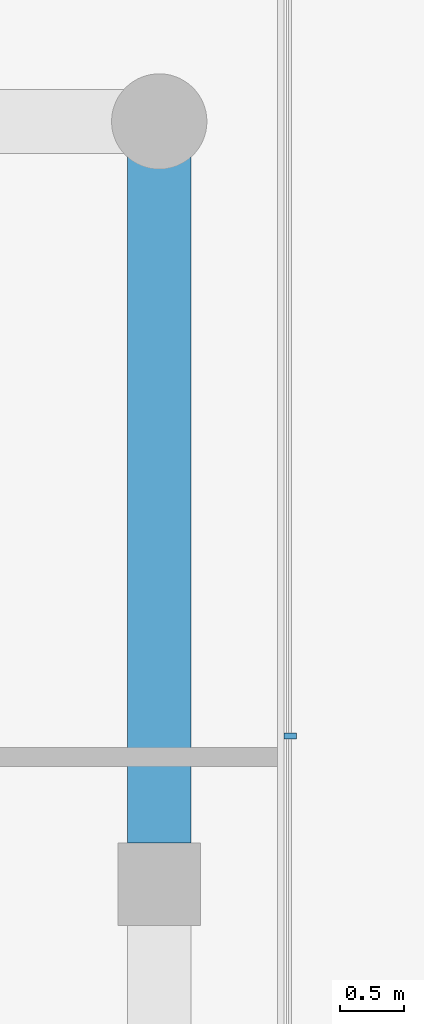
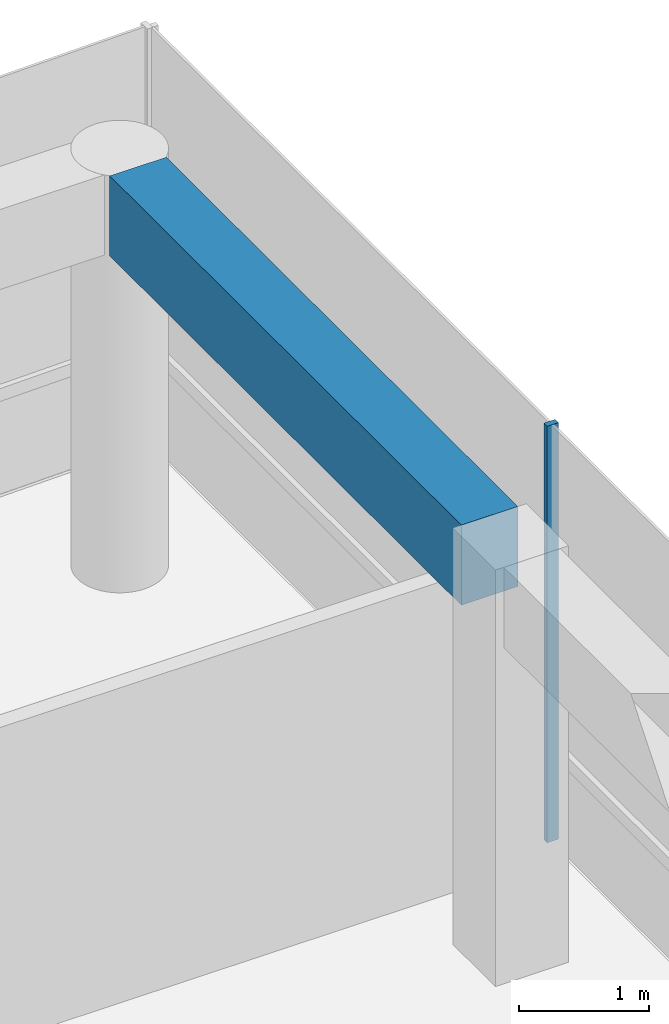
# One storey, part 12 of 20: 1 beam, 1 member, 1 element without a shape of its own.
"""IFC4 building model written with IfcOpenShell, lengths in metres."""

from ifc_helpers import new_model, si_unit, direction, frame, origin, origin_2d, place, context, subcontext, project, spatial, rectangle, extrude, material, layer, layer_set, material_profile, profile_set, type_object, element, aggregate, save


model = new_model("IFC4")

# Units and contexts
model_context = context("Model", 3, precision=1e-05, world=origin(), true_north=direction((0.0, 1.0)))
body_context = subcontext(model_context, "Body", "Model", "MODEL_VIEW")
ifc_project = project(units=[si_unit("LENGTHUNIT", "METRE"), si_unit("AREAUNIT", "SQUARE_METRE"), si_unit("VOLUMEUNIT", "CUBIC_METRE"), si_unit("PLANEANGLEUNIT", "RADIAN"), si_unit("MASSUNIT", "GRAM", prefix="KILO")], contexts=[model_context])

# Site, building, storey
site_placement = place(None, origin())
site = spatial("IfcSite", under=ifc_project, at=site_placement, CompositionType="ELEMENT")
building_placement = place(site_placement, origin())
building = spatial("IfcBuilding", under=site, at=building_placement, Name="Welwitschia Terrace Campus", CompositionType="ELEMENT")
storey_placement = place(building_placement, frame((0.0, 0.0, 327.199951171875)))
storey = spatial("IfcBuildingStorey", under=building, at=storey_placement, Name="L73", CompositionType="ELEMENT", Elevation=327.199951171875)

# Curtain wall, member
ifc_material_1 = material(Name="Bronze anodised aluminium", Category="aluminium")
ifc_layer = layer(ifc_material_1, 0.10009765625)
ifc_layer_set = layer_set([ifc_layer], Name="Bronze anodised aluminium")
curtain_wall_type = type_object("IfcCurtainWallType", Name="Curtain wall CW5 crown 6000", PredefinedType="NOTDEFINED", material=ifc_layer_set)
curtain_wall_placement = place(storey_placement, origin())
curtain_wall = element("IfcCurtainWall", 1, at=curtain_wall_placement, inside=storey, type_object=curtain_wall_type, Name="CW L73.7.0", PredefinedType="NOTDEFINED")
ifc_material_2 = material(Name="Bronze anodised aluminium", Category="aluminium")
ifc_material_profile_1 = material_profile(ifc_material_2, rectangle(XDim=0.10009765625, YDim=0.050048828125, at=origin_2d()))
ifc_profile_set_1 = profile_set([ifc_material_profile_1], Name="Bronze anodised aluminium")
member_type = type_object("IfcMemberType", Name="Mullion 50x100", PredefinedType="MULLION", material=ifc_profile_set_1)
member_placement = place(storey_placement, frame((25.030029296875, 39.166015625, 0.0), z_axis=(0.0, 0.0, 1.0), x_axis=(-1.0, 0.0, 0.0)))
member = element("IfcMember", 2, at=member_placement, type_object=member_type, Name="Mullion L73.7.0.3", PredefinedType="MULLION", context=body_context, shape_type="SweptSolid", body=[
    extrude(rectangle(XDim=0.10009765625, YDim=0.050048828125, at=origin_2d()), origin(), (0.0, 0.0, 1.0), 3.900146484375),
])
aggregate(curtain_wall, [member])

# Beam
ifc_material_3 = material(Name="Concrete C40/50", Category="concrete")
ifc_material_profile_2 = material_profile(ifc_material_3, rectangle(XDim=0.5, YDim=0.75, at=origin_2d()))
ifc_profile_set_2 = profile_set([ifc_material_profile_2], Name="Concrete C40/50")
beam_type = type_object("IfcBeamType", Name="Ring spandrel 500x750", PredefinedType="SPANDREL", material=ifc_profile_set_2)
beam_placement = place(storey_placement, frame((24.0, 38.325439453125, 3.525146484375), z_axis=(0.0, 1.0, 0.0), x_axis=(-1.0, 0.0, 0.0)))
element("IfcBeam", 3, at=beam_placement, inside=storey, type_object=beam_type, Name="Spandrel SP5", PredefinedType="SPANDREL", context=body_context, shape_type="SweptSolid", body=[
    extrude(rectangle(XDim=0.5, YDim=0.75, at=origin_2d()), origin(), (0.0, 0.0, 1.0), 5.39404296875),
])

save(model, "model.ifc")
